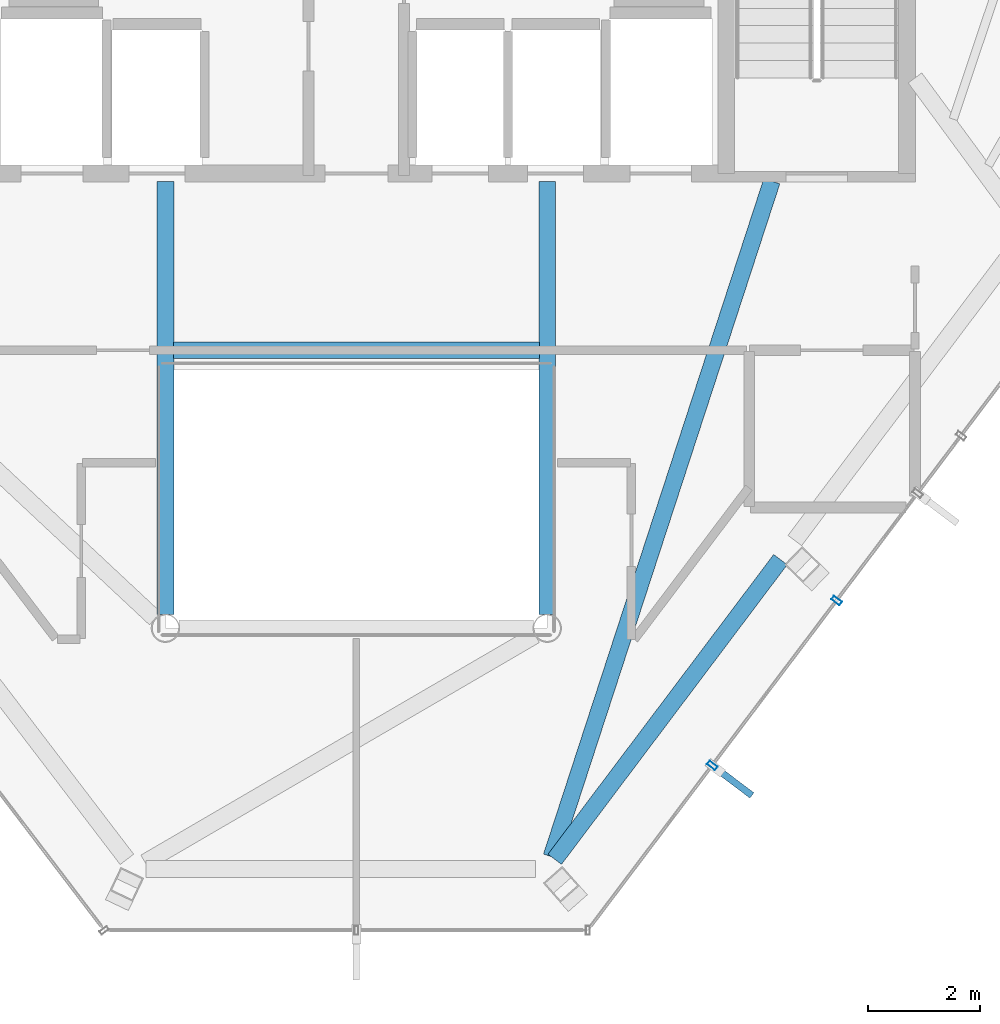
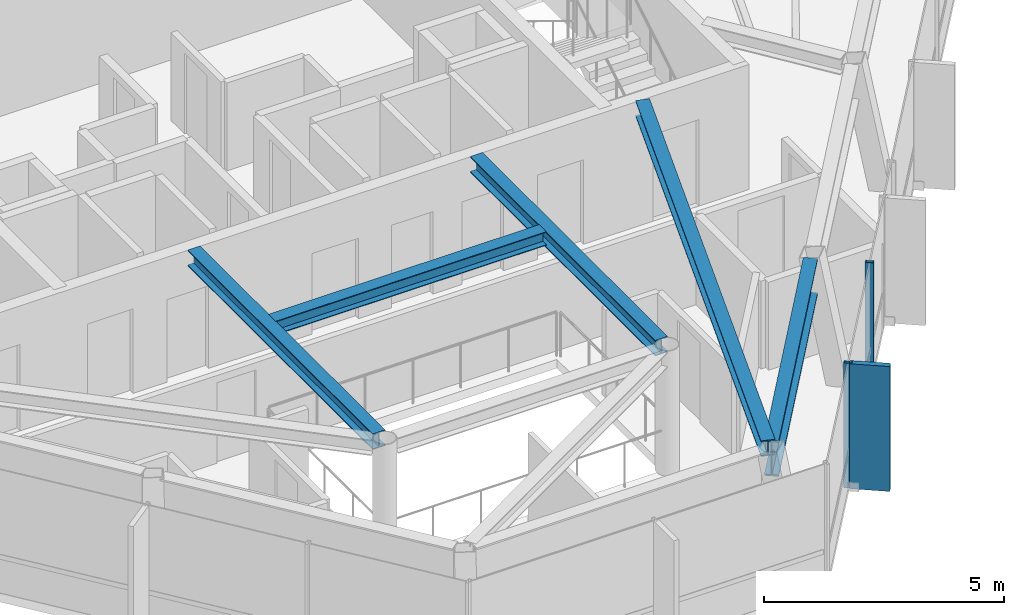
# One storey, part 6 of 21: 5 beams, 3 members, 1 element without a shape of its own.
"""IFC4 building model written with IfcOpenShell, lengths in metres."""

from ifc_helpers import new_model, si_unit, direction, frame, origin, origin_2d, place, context, subcontext, project, spatial, rectangle, hollow_rectangle, i_section, extrude, material, layer, layer_set, material_profile, profile_set, type_object, element, aggregate, save


model = new_model("IFC4")

# Units and contexts
model_context = context("Model", 3, precision=1e-05, world=origin(), true_north=direction((0.0, 1.0)))
body_context = subcontext(model_context, "Body", "Model", "MODEL_VIEW")
ifc_project = project(units=[si_unit("LENGTHUNIT", "METRE"), si_unit("AREAUNIT", "SQUARE_METRE"), si_unit("VOLUMEUNIT", "CUBIC_METRE"), si_unit("PLANEANGLEUNIT", "RADIAN"), si_unit("MASSUNIT", "GRAM", prefix="KILO")], contexts=[model_context])

# Site, building, storey
site_placement = place(None, origin())
site = spatial("IfcSite", under=ifc_project, at=site_placement, CompositionType="ELEMENT")
building_placement = place(site_placement, origin())
building = spatial("IfcBuilding", under=site, at=building_placement, Name="Zarrinselat Tower", CompositionType="ELEMENT")
storey_placement = place(building_placement, frame((0.0, 0.0, 285.60009765625)))
storey = spatial("IfcBuildingStorey", under=building, at=storey_placement, Name="L73", CompositionType="ELEMENT", Elevation=285.60009765625)

# Beams
ifc_material_1 = material(Name="Steel S355J2", Category="steel")
ifc_material_profile_1 = material_profile(ifc_material_1, i_section(OverallWidth=0.300048828125, OverallDepth=0.35009765625, WebThickness=0.010009765625, FlangeThickness=0.017578125, at=origin_2d()), Name="HEA 360")
ifc_profile_set_1 = profile_set([ifc_material_profile_1], Name="Steel S355J2")
beam_type_1 = type_object("IfcBeamType", Name="BM-HEA360", PredefinedType="LINTEL", material=ifc_profile_set_1)
beam_1_placement = place(storey_placement, frame((35.139892578125, 30.14990234375, 3.0048828125), z_axis=(1.0, 0.0, 0.0), x_axis=(0.0, 1.0, 0.0)))
element("IfcBeam", 1, at=beam_1_placement, inside=storey, type_object=beam_type_1, Name="L73 Lift Lobby Ceiling Beam", PredefinedType="LINTEL", context=body_context, shape_type="SweptSolid", body=[
    extrude(i_section(OverallWidth=0.300048828125, OverallDepth=0.35009765625, WebThickness=0.010009765625, FlangeThickness=0.017578125, at=origin_2d()), origin(), (0.0, 0.0, 1.0), 6.52001953125),
])
ifc_material_2 = material(Name="Steel S355J2", Category="steel")
ifc_material_profile_2 = material_profile(ifc_material_2, i_section(OverallWidth=0.300048828125, OverallDepth=0.39990234375, WebThickness=0.013427734375, FlangeThickness=0.02392578125, at=origin_2d()), Name="HEB 400")
ifc_profile_set_2 = profile_set([ifc_material_profile_2], Name="Steel S355J2")
beam_type_2 = type_object("IfcBeamType", Name="BM-HEB400", PredefinedType="BEAM", material=ifc_profile_set_2)
for number, where, z_axis, x_axis, name in (
    (2, (35.0, 25.43994140625, 2.97998046875), (0.0, 1.0, 0.0), (-1.0, 0.0, 0.0), "L73 Atrium Edge Beam W"),
    (3, (41.800048828125, 25.43994140625, 2.97998046875), (0.0, 1.0, 0.0), (-1.0, 0.0, 0.0), "L73 Atrium Edge Beam E"),
):
    element("IfcBeam", number, at=place(storey_placement, frame(where, z_axis=z_axis, x_axis=x_axis)), inside=storey, type_object=beam_type_2, Name=name, PredefinedType="BEAM", context=body_context, shape_type="SweptSolid", body=[
        extrude(i_section(OverallWidth=0.300048828125, OverallDepth=0.39990234375, WebThickness=0.013427734375, FlangeThickness=0.02392578125, at=origin_2d()), origin(), (0.0, 0.0, 1.0), 7.719970703125),
    ])
beam_2_placement = place(storey_placement, frame((41.8759765625, 21.1298828125, 2.97998046875), z_axis=(0.310108932854, 0.950701030695, 0.0), x_axis=(-0.950701030695, 0.310108932854, 0.0)))
element("IfcBeam", 4, at=beam_2_placement, inside=storey, type_object=beam_type_2, Name="L73 Radial Primary Girder RG11", PredefinedType="BEAM", context=body_context, shape_type="SweptSolid", body=[
    extrude(i_section(OverallWidth=0.300048828125, OverallDepth=0.39990234375, WebThickness=0.013427734375, FlangeThickness=0.02392578125, at=origin_2d()), origin(), (0.0, 0.0, 1.0), 12.65380859375),
])
ifc_material_3 = material(Name="Steel S460M", Category="steel")
ifc_material_profile_3 = material_profile(ifc_material_3, i_section(OverallWidth=0.302001953125, OverallDepth=0.909912109375, WebThickness=0.02099609375, FlangeThickness=0.0400390625, at=origin_2d()), Name="HEM 900")
ifc_profile_set_3 = profile_set([ifc_material_profile_3], Name="Steel S460M")
beam_type_3 = type_object("IfcBeamType", Name="BM-HEM900", PredefinedType="BEAM", material=ifc_profile_set_3)
beam_3_placement = place(storey_placement, frame((41.933837890625, 21.084228515625, 2.724853515625), z_axis=(0.601641502022, 0.798766238048, 0.0), x_axis=(-0.798766238048, 0.601641502022, 0.0)))
element("IfcBeam", 5, at=beam_3_placement, inside=storey, type_object=beam_type_3, Name="L73 Perimeter Spandrel Girder SP11", PredefinedType="BEAM", context=body_context, shape_type="SweptSolid", body=[
    extrude(i_section(OverallWidth=0.302001953125, OverallDepth=0.909912109375, WebThickness=0.02099609375, FlangeThickness=0.0400390625, at=origin_2d()), origin(), (0.0, 0.0, 1.0), 6.681640625),
])

# Curtain wall, members
ifc_material_4 = material(Name="Extruded Aluminium Alloy EN AW-6063 T6", Category="aluminium")
ifc_layer = layer(ifc_material_4, 0.199951171875)
ifc_layer_set = layer_set([ifc_layer], Name="Extruded Aluminium Alloy EN AW-6063 T6")
curtain_wall_type = type_object("IfcCurtainWallType", Name="CWS-BLADE", PredefinedType="NOTDEFINED", material=ifc_layer_set)
curtain_wall_placement = place(storey_placement, origin())
curtain_wall = element("IfcCurtainWall", 6, at=curtain_wall_placement, inside=storey, type_object=curtain_wall_type, Name="L73 Unitised Curtain Wall CW-L73-E05", PredefinedType="NOTDEFINED")
ifc_material_5 = material(Name="Extruded Aluminium Alloy EN AW-6063 T6", Category="aluminium")
ifc_material_profile_4 = material_profile(ifc_material_5, hollow_rectangle(XDim=0.080078125, YDim=0.179931640625, WallThickness=0.0048828125, at=origin_2d()), Name="RHS 180x80x5")
ifc_profile_set_4 = profile_set([ifc_material_profile_4], Name="Extruded Aluminium Alloy EN AW-6063 T6")
member_type_1 = type_object("IfcMemberType", Name="MEM-CW-MUL", PredefinedType="MULLION", material=ifc_profile_set_4)
member_1_placement = place(storey_placement, frame((44.73876953125, 22.7548828125, 0.0), z_axis=(0.0, 0.0, 1.0), x_axis=(0.602445101176, 0.798160322284, 0.0)))
member_1 = element("IfcMember", 7, at=member_1_placement, type_object=member_type_1, Name="CW-L73-E05 Mullion 1", PredefinedType="MULLION", context=body_context, shape_type="SweptSolid", body=[
    extrude(hollow_rectangle(XDim=0.080078125, YDim=0.179931640625, WallThickness=0.0048828125, at=origin_2d()), origin(), (0.0, 0.0, 1.0), 3.179931640625),
])
member_2_placement = place(storey_placement, frame((46.95458984375, 25.69091796875, 0.0), z_axis=(0.0, 0.0, 1.0), x_axis=(0.602445101176, 0.798160322284, 0.0)))
member_2 = element("IfcMember", 8, at=member_2_placement, type_object=member_type_1, Name="CW-L73-E05 Mullion 2", PredefinedType="MULLION", context=body_context, shape_type="SweptSolid", body=[
    extrude(hollow_rectangle(XDim=0.080078125, YDim=0.179931640625, WallThickness=0.0048828125, at=origin_2d()), origin(), (0.0, 0.0, 1.0), 3.179931640625),
])
ifc_material_6 = material(Name="Honed Cream Travertine Stone", Category="masonry")
ifc_material_profile_5 = material_profile(ifc_material_6, rectangle(XDim=0.1201171875, YDim=0.85009765625, at=origin_2d()), Name="FIN 850x120")
ifc_profile_set_5 = profile_set([ifc_material_profile_5], Name="Honed Cream Travertine Stone")
member_type_2 = type_object("IfcMemberType", Name="MEM-STONE-FIN", PredefinedType="USERDEFINED", material=ifc_profile_set_5)
member_3_placement = place(storey_placement, frame((45.10595703125, 22.477783203125, 0.0), z_axis=(0.0, 0.0, 1.0), x_axis=(-0.602445101176, -0.798160322284, 0.0)))
member_3 = element("IfcMember", 9, at=member_3_placement, type_object=member_type_2, Name="L73 Stone Shading Fin CW-L73-E05-01", ObjectType="FIN", PredefinedType="USERDEFINED", context=body_context, shape_type="SweptSolid", body=[
    extrude(rectangle(XDim=0.1201171875, YDim=0.85009765625, at=origin_2d()), origin(), (0.0, 0.0, 1.0), 3.179931640625),
])
aggregate(curtain_wall, [member_1, member_3, member_2])

save(model, "model.ifc")
